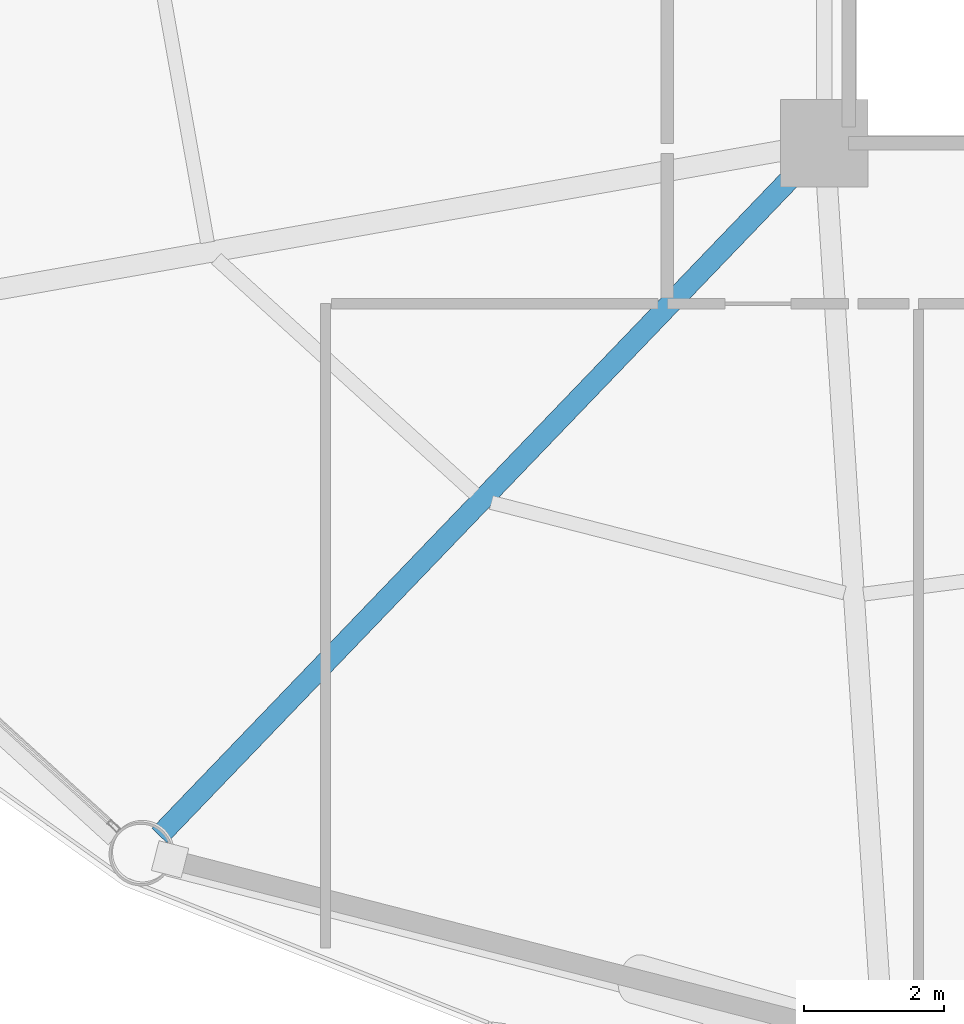
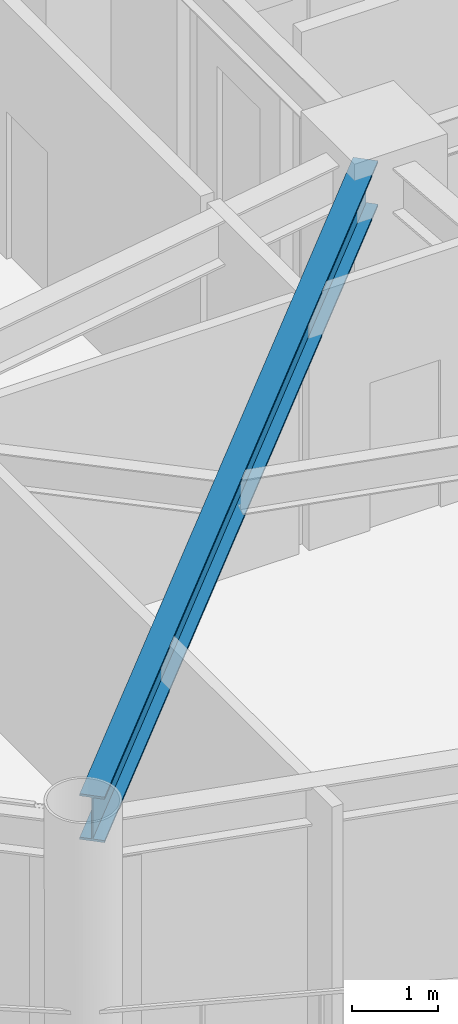
# One storey, part 3 of 25: 1 beam.
"""IFC4 building model written with IfcOpenShell, lengths in metres."""

from ifc_helpers import new_model, si_unit, direction, frame, origin, origin_2d, place, context, subcontext, project, spatial, i_section, extrude, material, material_profile, profile_set, type_object, element, save


model = new_model("IFC4")

# Units and contexts
model_context = context("Model", 3, precision=1e-05, world=origin(), true_north=direction((0.0, 1.0)))
body_context = subcontext(model_context, "Body", "Model", "MODEL_VIEW")
ifc_project = project(units=[si_unit("LENGTHUNIT", "METRE"), si_unit("AREAUNIT", "SQUARE_METRE"), si_unit("VOLUMEUNIT", "CUBIC_METRE"), si_unit("PLANEANGLEUNIT", "RADIAN"), si_unit("MASSUNIT", "GRAM", prefix="KILO")], contexts=[model_context])

# Site, building, storey
site_placement = place(None, origin())
site = spatial("IfcSite", under=ifc_project, at=site_placement, CompositionType="ELEMENT")
building_placement = place(site_placement, origin())
building = spatial("IfcBuilding", under=site, at=building_placement, Name="Varnakorn Sky Granary", CompositionType="ELEMENT")
storey_placement = place(building_placement, frame((0.0, 0.0, 58.800048828125)))
storey = spatial("IfcBuildingStorey", under=building, at=storey_placement, Name="L14", CompositionType="ELEMENT", Elevation=58.800048828125)

# Beam
ifc_material = material(Name="Steel S355JR", Category="steel")
ifc_material_profile = material_profile(ifc_material, i_section(OverallWidth=0.300048828125, OverallDepth=0.64990234375, WebThickness=0.01611328125, FlangeThickness=0.031005859375, at=origin_2d()), Name="HE 650 B")
ifc_profile_set = profile_set([ifc_material_profile], Name="Steel S355JR")
beam_type = type_object("IfcBeamType", Name="BM-RAD-Z1", PredefinedType="BEAM", material=ifc_profile_set)
beam_placement = place(storey_placement, frame((-2.640869140625, -6.90283203125, 3.31494140625), z_axis=(-0.69262974119, -0.72129331178, 0.0), x_axis=(0.72129331178, -0.69262974119, 0.0)))
element("IfcBeam", 1, at=beam_placement, inside=storey, type_object=beam_type, Name="Radial Floor Girder RG09 L14", PredefinedType="BEAM", context=body_context, shape_type="SweptSolid", body=[
    extrude(i_section(OverallWidth=0.300048828125, OverallDepth=0.64990234375, WebThickness=0.01611328125, FlangeThickness=0.031005859375, at=origin_2d()), origin(), (0.0, 0.0, 1.0), 13.33837890625),
])

save(model, "model.ifc")
